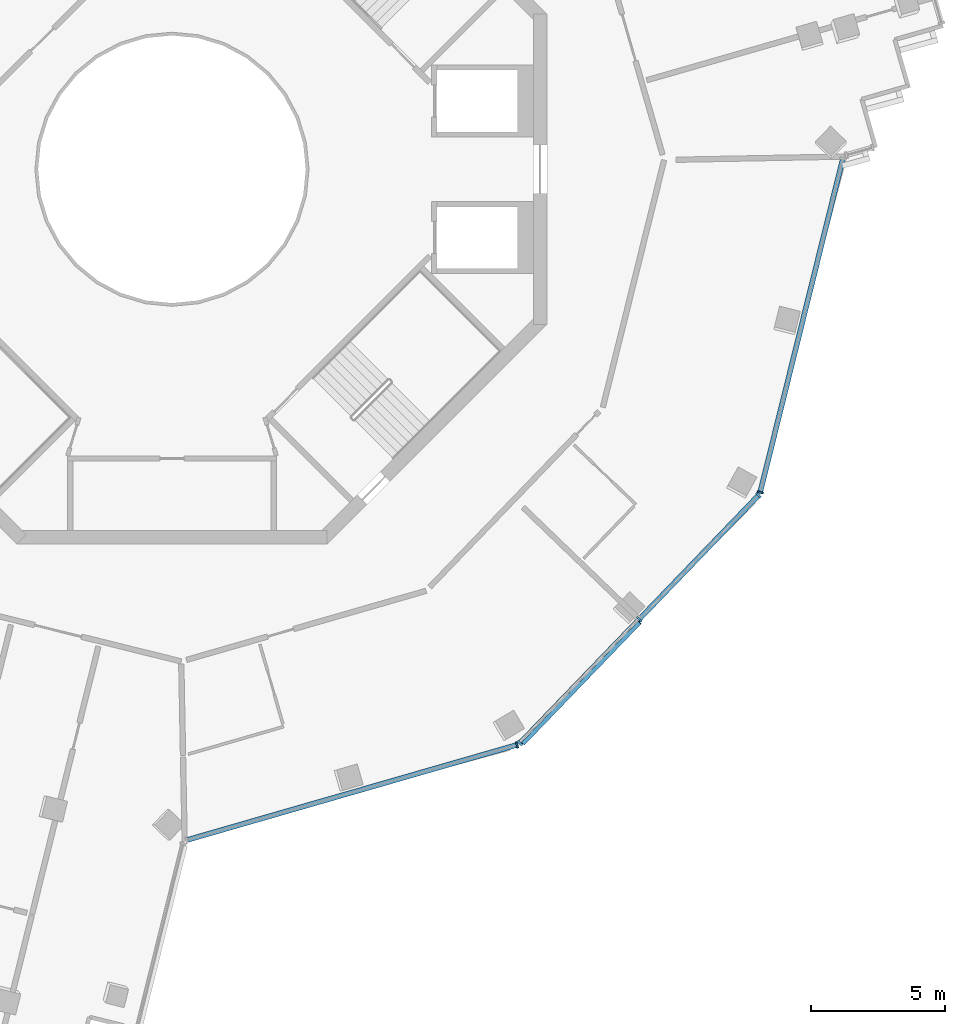
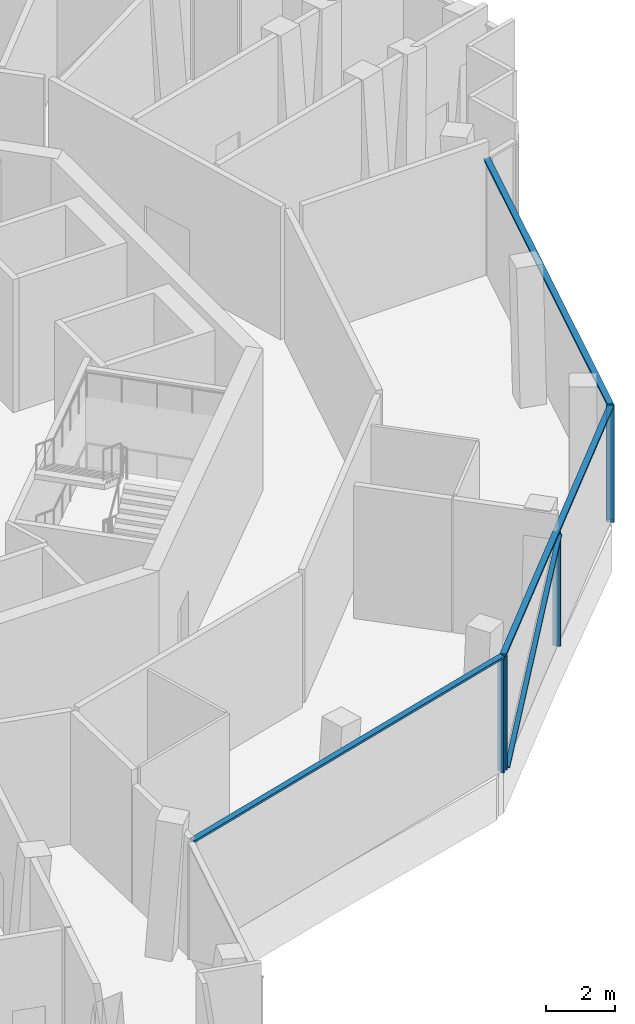
# One storey, part 3 of 17: 9 members, 3 elements without a shape of their own.
"""IFC4 building model written with IfcOpenShell, lengths in metres."""

from ifc_helpers import new_model, si_unit, direction, frame, origin, origin_2d, place, context, subcontext, project, spatial, rectangle, extrude, material, layer, layer_set, material_profile, profile_set, type_object, element, aggregate, save


model = new_model("IFC4")

# Units and contexts
model_context = context("Model", 3, precision=1e-05, world=origin(), true_north=direction((0.0, 1.0)))
body_context = subcontext(model_context, "Body", "Model", "MODEL_VIEW")
ifc_project = project(units=[si_unit("LENGTHUNIT", "METRE"), si_unit("AREAUNIT", "SQUARE_METRE"), si_unit("VOLUMEUNIT", "CUBIC_METRE"), si_unit("PLANEANGLEUNIT", "RADIAN"), si_unit("MASSUNIT", "GRAM", prefix="KILO")], contexts=[model_context])

# Site, building, storey
site_placement = place(None, origin())
site = spatial("IfcSite", under=ifc_project, at=site_placement, CompositionType="ELEMENT")
building_placement = place(site_placement, origin())
building = spatial("IfcBuilding", under=site, at=building_placement, Name="Verdalira Terraces Hotel", CompositionType="ELEMENT")
storey_placement = place(building_placement, frame((0.0, 0.0, 222.0)))
storey = spatial("IfcBuildingStorey", under=building, at=storey_placement, Name="L54", CompositionType="ELEMENT", Elevation=222.0)

# Curtain wall, member
ifc_material_1 = material(Name="Clear glass", Category="glass")
ifc_layer = layer(ifc_material_1, 0.239990234375)
ifc_layer_set = layer_set([ifc_layer], Name="CW5 curtain wall")
curtain_wall_type = type_object("IfcCurtainWallType", Name="CW5 curtain wall", PredefinedType="NOTDEFINED", material=ifc_layer_set)
curtain_wall_1_placement = place(storey_placement, origin())
curtain_wall_1 = element("IfcCurtainWall", 1, at=curtain_wall_1_placement, inside=storey, type_object=curtain_wall_type, Name="CW5 curtain wall L54 edge 25", PredefinedType="NOTDEFINED")
ifc_material_2 = material(Name="Terracotta frame", Category="masonry")
ifc_material_profile_1 = material_profile(ifc_material_2, rectangle(XDim=0.070068, YDim=0.23999, at=origin_2d()), Name="MU 70x240")
ifc_profile_set_1 = profile_set([ifc_material_profile_1], Name="Terracotta frame")
member_type_1 = type_object("IfcMemberType", Name="CW5 mullion 70x240", PredefinedType="MULLION", material=ifc_profile_set_1)
member_1_placement = place(storey_placement, frame((12.884277, -21.500977, 0.0), z_axis=(0.0, 0.0, 1.0), x_axis=(0.960875897, 0.276979261, 0.0)))
member_1 = element("IfcMember", 2, at=member_1_placement, type_object=member_type_1, Name="CW5 mullion", PredefinedType="MULLION", context=body_context, shape_type="SweptSolid", body=[
    extrude(rectangle(XDim=0.070068, YDim=0.23999, at=origin_2d()), origin(), (0.0, 0.0, 1.0), 4.014893),
])

# Curtain wall, members
curtain_wall_2_placement = place(storey_placement, origin())
curtain_wall_2 = element("IfcCurtainWall", 3, at=curtain_wall_2_placement, inside=storey, type_object=curtain_wall_type, Name="CW5 curtain wall L54 edge 26", PredefinedType="NOTDEFINED")
member_2_placement = place(storey_placement, frame((12.995361, -21.433838, 0.0), z_axis=(0.0, 0.0, 1.0), x_axis=(0.693653306, 0.720309025, 0.0)))
member_2 = element("IfcMember", 4, at=member_2_placement, type_object=member_type_1, Name="CW5 mullion", PredefinedType="MULLION", context=body_context, shape_type="SweptSolid", body=[
    extrude(rectangle(XDim=0.070068, YDim=0.23999, at=origin_2d()), origin(), (0.0, 0.0, 1.0), 4.014893),
])
member_3_placement = place(storey_placement, frame((17.451904, -16.806152, 0.0), z_axis=(0.0, 0.0, 1.0), x_axis=(0.693653306, 0.720309025, 0.0)))
member_3 = element("IfcMember", 5, at=member_3_placement, type_object=member_type_1, Name="CW5 mullion", PredefinedType="MULLION", context=body_context, shape_type="SweptSolid", body=[
    extrude(rectangle(XDim=0.070068, YDim=0.23999, at=origin_2d()), origin(), (0.0, 0.0, 1.0), 4.014893),
])
member_4_placement = place(storey_placement, frame((21.908447, -12.178223, 0.0), z_axis=(0.0, 0.0, 1.0), x_axis=(0.693653306, 0.720309025, 0.0)))
member_4 = element("IfcMember", 6, at=member_4_placement, type_object=member_type_1, Name="CW5 mullion", PredefinedType="MULLION", context=body_context, shape_type="SweptSolid", body=[
    extrude(rectangle(XDim=0.070068, YDim=0.23999, at=origin_2d()), origin(), (0.0, 0.0, 1.0), 4.014893),
])

# Curtain wall, member
curtain_wall_3_placement = place(storey_placement, origin())
curtain_wall_3 = element("IfcCurtainWall", 7, at=curtain_wall_3_placement, inside=storey, type_object=curtain_wall_type, Name="CW5 curtain wall L54 edge 27", PredefinedType="NOTDEFINED")
member_5_placement = place(storey_placement, frame((21.971191, -12.064697, 0.0), z_axis=(0.0, 0.0, 1.0), x_axis=(0.240566872, 0.970632567, 0.0)))
member_5 = element("IfcMember", 8, at=member_5_placement, type_object=member_type_1, Name="CW5 mullion", PredefinedType="MULLION", context=body_context, shape_type="SweptSolid", body=[
    extrude(rectangle(XDim=0.070068, YDim=0.23999, at=origin_2d()), origin(), (0.0, 0.0, 1.0), 4.014893),
])

# Member
ifc_material_3 = material(Name="Terracotta frame", Category="masonry")
ifc_material_profile_2 = material_profile(ifc_material_3, rectangle(XDim=0.189941, YDim=0.074951, at=origin_2d()), Name="TR 75x190")
ifc_profile_set_2 = profile_set([ifc_material_profile_2], Name="Terracotta frame")
member_type_2 = type_object("IfcMemberType", Name="CW5 transom 75x190", PredefinedType="USERDEFINED", material=ifc_profile_set_2)
member_6_placement = place(storey_placement, frame((0.514893, -25.066406, 4.05249), z_axis=(0.960876074, 0.276978647, 0.0), x_axis=(-0.276978647, 0.960876074, 0.0)))
member_6 = element("IfcMember", 9, at=member_6_placement, type_object=member_type_2, Name="CW5 transom", ObjectType="TRANSOM", PredefinedType="USERDEFINED", context=body_context, shape_type="SweptSolid", body=[
    extrude(rectangle(XDim=0.189941, YDim=0.074951, at=origin_2d()), origin(), (0.0, 0.0, 1.0), 12.907959),
])

aggregate(curtain_wall_1, [member_1, member_6])

member_7_placement = place(storey_placement, frame((12.970947, -21.459229, 4.05249), z_axis=(0.693659118, 0.720303428, 0.0), x_axis=(-0.720303428, 0.693659118, 0.0)))
member_7 = element("IfcMember", 10, at=member_7_placement, type_object=member_type_2, Name="CW5 transom", ObjectType="TRANSOM", PredefinedType="USERDEFINED", context=body_context, shape_type="SweptSolid", body=[
    extrude(rectangle(XDim=0.189941, YDim=0.074951, at=origin_2d()), origin(), (0.0, 0.0, 1.0), 12.919678),
])

member_8_placement = place(storey_placement, frame((21.962891, -12.098633, 4.05249), z_axis=(0.240550244, 0.970636688, 0.0), x_axis=(-0.970636688, 0.240550244, 0.0)))
member_8 = element("IfcMember", 11, at=member_8_placement, type_object=member_type_2, Name="CW5 transom", ObjectType="TRANSOM", PredefinedType="USERDEFINED", context=body_context, shape_type="SweptSolid", body=[
    extrude(rectangle(XDim=0.189941, YDim=0.074951, at=origin_2d()), origin(), (0.0, 0.0, 1.0), 12.907715),
])

aggregate(curtain_wall_3, [member_5, member_8])

ifc_material_4 = material(Name="Terracotta frame", Category="masonry")
ifc_material_profile_3 = material_profile(ifc_material_4, rectangle(XDim=0.149902, YDim=0.060059, at=origin_2d()), Name="GB 60x150")
ifc_profile_set_3 = profile_set([ifc_material_profile_3], Name="Terracotta frame")
member_type_3 = type_object("IfcMemberType", Name="Diagonal glazing bar 60x150", PredefinedType="USERDEFINED", material=ifc_profile_set_3)
member_9_placement = place(storey_placement, frame((13.118408, -21.445801, 0.026367), z_axis=(0.586427666, 0.608939538, 0.534130351), x_axis=(-0.720295719, 0.693667123, 0.0)))
member_9 = element("IfcMember", 12, at=member_9_placement, type_object=member_type_3, Name="Diagonal glazing bar", ObjectType="GLAZING BAR", PredefinedType="USERDEFINED", context=body_context, shape_type="SweptSolid", body=[
    extrude(rectangle(XDim=0.149902, YDim=0.060059, at=origin_2d()), origin(), (0.0, 0.0, 1.0), 7.417969),
])

aggregate(curtain_wall_2, [member_2, member_3, member_4, member_7, member_9])

save(model, "model.ifc")
